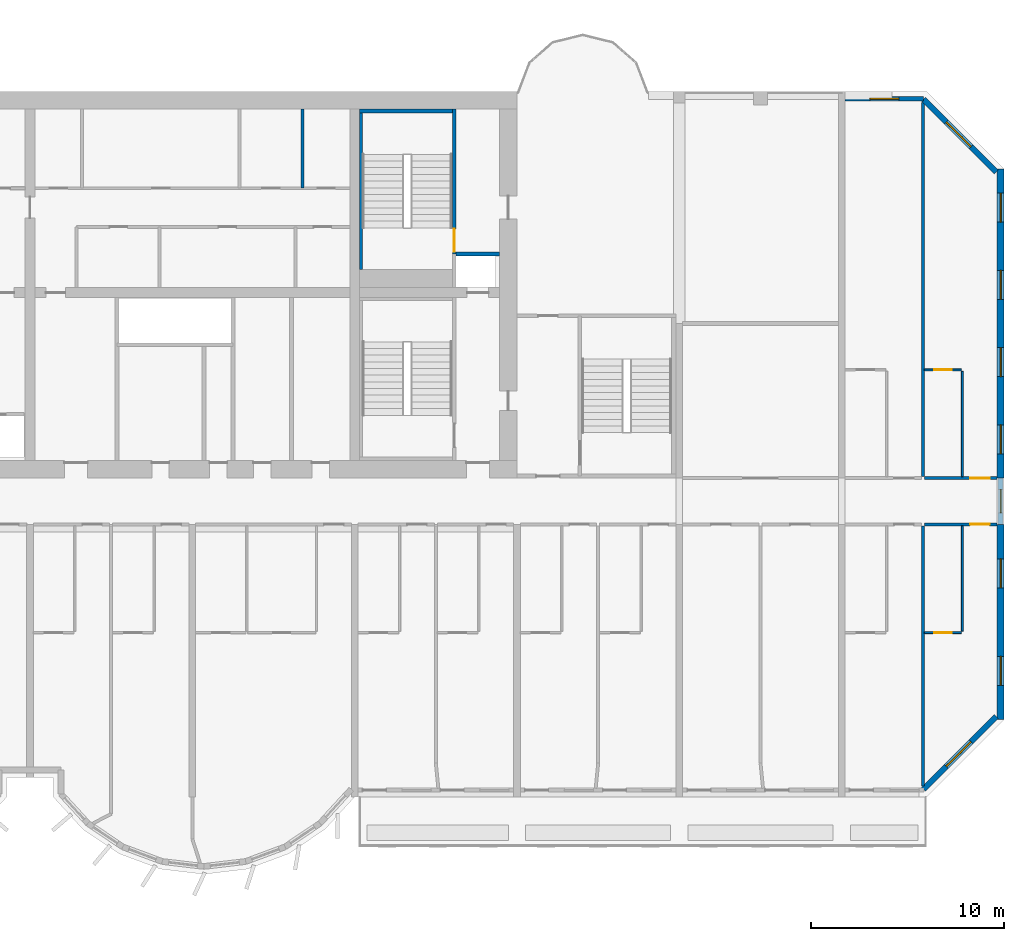
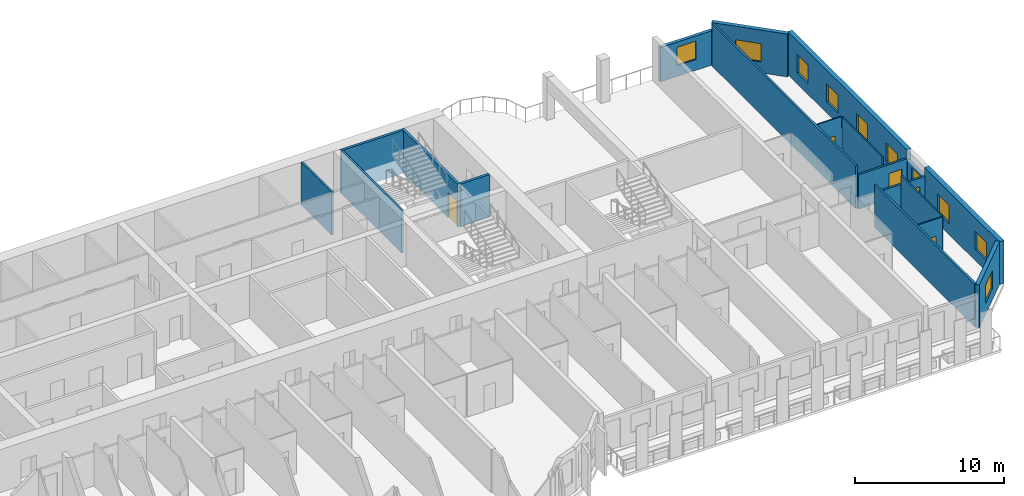
# One storey, part 11 of 15: 19 walls, 10 windows, 5 doors, 15 openings.
"""IFC4 building model written with IfcOpenShell, lengths in metres."""

from ifc_helpers import new_model, si_unit, direction, frame, frame_2d, origin, place, context, subcontext, project, spatial, rectangle, extrude, source, transform, mapped, material, layer, layer_set, type_object, element, fill, save


model = new_model("IFC4")

# Units and contexts
model_context = context("Model", 3, precision=1e-05, world=origin(), true_north=direction((0.0, 1.0)))
body_context = subcontext(model_context, "Body", "Model", "MODEL_VIEW")
ifc_project = project(units=[si_unit("LENGTHUNIT", "METRE"), si_unit("AREAUNIT", "SQUARE_METRE"), si_unit("VOLUMEUNIT", "CUBIC_METRE"), si_unit("PLANEANGLEUNIT", "RADIAN"), si_unit("MASSUNIT", "GRAM", prefix="KILO")], contexts=[model_context])

# Site, building, storey
site_placement = place(None, origin())
site = spatial("IfcSite", under=ifc_project, at=site_placement, CompositionType="ELEMENT")
building_placement = place(site_placement, origin())
building = spatial("IfcBuilding", under=site, at=building_placement, Name="Vanashikhar Sky Hotel", CompositionType="ELEMENT")
storey_placement = place(building_placement, frame((0.0, 0.0, 91.39990234375)))
storey = spatial("IfcBuildingStorey", under=building, at=storey_placement, Name="L21", CompositionType="ELEMENT", Elevation=91.39990234375)

# Wall, openings, windows
ifc_material_1 = material(Name="Concrete M70", Category="concrete")
ifc_layer_1 = layer(ifc_material_1, 0.35009765625)
ifc_layer_set_1 = layer_set([ifc_layer_1], Name="RC shear wall 350 Concrete M70")
wall_type_1 = type_object("IfcWallType", Name="RC shear wall 350 Concrete M70", PredefinedType="SHEAR", material=ifc_layer_set_1)
shared_shape_1 = source(origin(), body_context, "Body", "SweptSolid", [
    extrude(rectangle(XDim=10.10009765625, YDim=0.35009765625, at=frame_2d((5.050048828125, 0.0))), origin(), (0.0, 0.0, 1.0), 3.52001953125),
])
wall_1_placement = place(storey_placement, frame((100.625, 9.5, 0.0), z_axis=(0.0, 0.0, 1.0), x_axis=(0.0, 1.0, 0.0)))
wall_1 = element("IfcWall", 1, at=wall_1_placement, inside=storey, type_object=wall_type_1, Name="CW-L21-XW13-1", PredefinedType="SHEAR", context=body_context, shape_type="MappedRepresentation", body=[
    mapped(shared_shape_1, transform((0.0, 0.0, 0.0), scale=1.0)),
])
shared_shape_2 = source(origin(), body_context, "Body", "SweptSolid", [
    extrude(rectangle(XDim=1.5, YDim=1.5, at=frame_2d((0.75, 0.75))), frame((0.0, 0.18505859375, 0.0), z_axis=(0.0, -1.0, 0.0), x_axis=(1.0, 0.0, 0.0)), (0.0, 0.0, 1.0), 0.3701171875),
])
opening_1_placement = place(wall_1_placement, frame((1.77490234375, 0.0, 0.89990234375)))
opening_1 = element("IfcOpeningElement", 2, at=opening_1_placement, cuts=wall_1, Name="Opening WN-1", PredefinedType="OPENING", context=body_context, shape_type="MappedRepresentation", body=[
    mapped(shared_shape_2, transform((0.0, 0.0, 0.0), scale=1.0)),
])
opening_2_placement = place(wall_1_placement, frame((6.824951171875, 0.0, 0.89990234375)))
opening_2 = element("IfcOpeningElement", 3, at=opening_2_placement, cuts=wall_1, Name="Opening WN-1", PredefinedType="OPENING", context=body_context, shape_type="MappedRepresentation", body=[
    mapped(shared_shape_2, transform((0.0, 0.0, 0.0), scale=1.0)),
])
ifc_material_2 = material(Name="Glass", Category="glass")
window_type_1 = type_object("IfcWindowType", Name="Window 1500 x 1500", PartitioningType="SINGLE_PANEL", PredefinedType="WINDOW", material=ifc_material_2)
shared_shape_3 = source(origin(), body_context, "Body", "SweptSolid", [
    extrude(rectangle(XDim=1.5, YDim=1.5, at=frame_2d((0.75, 0.75))), frame((0.0, 0.030029296875, 0.0), z_axis=(0.0, -1.0, 0.0), x_axis=(1.0, 0.0, 0.0)), (0.0, 0.0, 1.0), 0.06005859375),
])
window_1_placement = place(opening_1_placement, origin())
window_1 = element("IfcWindow", 4, at=window_1_placement, inside=storey, type_object=window_type_1, Name="Window WN-1", OverallHeight=1.5, OverallWidth=1.5, PartitioningType="SINGLE_PANEL", PredefinedType="WINDOW", context=body_context, shape_type="MappedRepresentation", body=[
    mapped(shared_shape_3, transform((0.0, 0.0, 0.0), scale=1.0)),
])
fill(opening_1, window_1)
window_2_placement = place(opening_2_placement, origin())
window_2 = element("IfcWindow", 5, at=window_2_placement, inside=storey, type_object=window_type_1, Name="Window WN-1", OverallHeight=1.5, OverallWidth=1.5, PartitioningType="SINGLE_PANEL", PredefinedType="WINDOW", context=body_context, shape_type="MappedRepresentation", body=[
    mapped(shared_shape_3, transform((0.0, 0.0, 0.0), scale=1.0)),
])
fill(opening_2, window_2)

shared_shape_4 = source(origin(), body_context, "Body", "SweptSolid", [
    extrude(rectangle(XDim=16.0, YDim=0.35009765625, at=frame_2d((8.0, 0.0))), origin(), (0.0, 0.0, 1.0), 3.52001953125),
])
wall_2_placement = place(storey_placement, frame((100.625, 22.0, 0.0), z_axis=(0.0, 0.0, 1.0), x_axis=(0.0, 1.0, 0.0)))
wall_2 = element("IfcWall", 6, at=wall_2_placement, inside=storey, type_object=wall_type_1, Name="CW-L21-XW13-2", PredefinedType="SHEAR", context=body_context, shape_type="MappedRepresentation", body=[
    mapped(shared_shape_4, transform((0.0, 0.0, 0.0), scale=1.0)),
])
opening_3_placement = place(wall_2_placement, frame((1.25, 0.0, 0.89990234375)))
opening_3 = element("IfcOpeningElement", 7, at=opening_3_placement, cuts=wall_2, Name="Opening WN-1", PredefinedType="OPENING", context=body_context, shape_type="MappedRepresentation", body=[
    mapped(shared_shape_2, transform((0.0, 0.0, 0.0), scale=1.0)),
])
opening_4_placement = place(wall_2_placement, frame((5.25, 0.0, 0.89990234375)))
opening_4 = element("IfcOpeningElement", 8, at=opening_4_placement, cuts=wall_2, Name="Opening WN-1", PredefinedType="OPENING", context=body_context, shape_type="MappedRepresentation", body=[
    mapped(shared_shape_2, transform((0.0, 0.0, 0.0), scale=1.0)),
])
opening_5_placement = place(wall_2_placement, frame((9.25, 0.0, 0.89990234375)))
opening_5 = element("IfcOpeningElement", 9, at=opening_5_placement, cuts=wall_2, Name="Opening WN-1", PredefinedType="OPENING", context=body_context, shape_type="MappedRepresentation", body=[
    mapped(shared_shape_2, transform((0.0, 0.0, 0.0), scale=1.0)),
])
opening_6_placement = place(wall_2_placement, frame((13.25, 0.0, 0.89990234375)))
opening_6 = element("IfcOpeningElement", 10, at=opening_6_placement, cuts=wall_2, Name="Opening WN-1", PredefinedType="OPENING", context=body_context, shape_type="MappedRepresentation", body=[
    mapped(shared_shape_2, transform((0.0, 0.0, 0.0), scale=1.0)),
])
window_3_placement = place(opening_3_placement, origin())
window_3 = element("IfcWindow", 11, at=window_3_placement, inside=storey, type_object=window_type_1, Name="Window WN-1", OverallHeight=1.5, OverallWidth=1.5, PartitioningType="SINGLE_PANEL", PredefinedType="WINDOW", context=body_context, shape_type="MappedRepresentation", body=[
    mapped(shared_shape_3, transform((0.0, 0.0, 0.0), scale=1.0)),
])
fill(opening_3, window_3)
window_4_placement = place(opening_4_placement, origin())
window_4 = element("IfcWindow", 12, at=window_4_placement, inside=storey, type_object=window_type_1, Name="Window WN-1", OverallHeight=1.5, OverallWidth=1.5, PartitioningType="SINGLE_PANEL", PredefinedType="WINDOW", context=body_context, shape_type="MappedRepresentation", body=[
    mapped(shared_shape_3, transform((0.0, 0.0, 0.0), scale=1.0)),
])
fill(opening_4, window_4)
window_5_placement = place(opening_5_placement, origin())
window_5 = element("IfcWindow", 13, at=window_5_placement, inside=storey, type_object=window_type_1, Name="Window WN-1", OverallHeight=1.5, OverallWidth=1.5, PartitioningType="SINGLE_PANEL", PredefinedType="WINDOW", context=body_context, shape_type="MappedRepresentation", body=[
    mapped(shared_shape_3, transform((0.0, 0.0, 0.0), scale=1.0)),
])
fill(opening_5, window_5)
window_6_placement = place(opening_6_placement, origin())
window_6 = element("IfcWindow", 14, at=window_6_placement, inside=storey, type_object=window_type_1, Name="Window WN-1", OverallHeight=1.5, OverallWidth=1.5, PartitioningType="SINGLE_PANEL", PredefinedType="WINDOW", context=body_context, shape_type="MappedRepresentation", body=[
    mapped(shared_shape_3, transform((0.0, 0.0, 0.0), scale=1.0)),
])
fill(opening_6, window_6)

# Wall, opening, window
ifc_material_3 = material(Name="Concrete M50", Category="concrete")
ifc_layer_2 = layer(ifc_material_3, 0.300048828125)
ifc_layer_set_2 = layer_set([ifc_layer_2], Name="Lobe wall 300")
wall_type_2 = type_object("IfcWallType", Name="Lobe wall 300", PredefinedType="SOLIDWALL", material=ifc_layer_set_2)
shared_shape_5 = source(origin(), body_context, "Body", "SweptSolid", [
    extrude(rectangle(XDim=5.32568359375, YDim=0.300048828125, at=frame_2d((2.662841796875, 0.0))), origin(), (0.0, 0.0, 1.0), 3.52001953125),
])
wall_3_placement = place(storey_placement, frame((96.63427734375, 5.89990234375, 0.0), z_axis=(0.0, 0.0, 1.0), x_axis=(0.707083859269, 0.707129702361, 0.0)))
wall_3 = element("IfcWall", 15, at=wall_3_placement, inside=storey, type_object=wall_type_2, Name="Corner wall", PredefinedType="SOLIDWALL", context=body_context, shape_type="MappedRepresentation", body=[
    mapped(shared_shape_5, transform((0.0, 0.0, 0.0), scale=1.0)),
])
shared_shape_6 = source(origin(), body_context, "Body", "SweptSolid", [
    extrude(rectangle(XDim=1.800048828125, YDim=1.5, at=frame_2d((0.89990234375, 0.75))), frame((0.0, 0.16015625, 0.0), z_axis=(0.0, -1.0, 0.0), x_axis=(1.0, 0.0, 0.0)), (0.0, 0.0, 1.0), 0.320068359375),
])
opening_7_placement = place(wall_3_placement, frame((1.671875, 0.0, 0.89990234375)))
opening_7 = element("IfcOpeningElement", 16, at=opening_7_placement, cuts=wall_3, Name="Opening WN-4", PredefinedType="OPENING", context=body_context, shape_type="MappedRepresentation", body=[
    mapped(shared_shape_6, transform((0.0, 0.0, 0.0), scale=1.0)),
])
window_type_2 = type_object("IfcWindowType", Name="Corner window 1800 x 1500", PartitioningType="SINGLE_PANEL", PredefinedType="WINDOW", material=ifc_material_2)
shared_shape_7 = source(origin(), body_context, "Body", "SweptSolid", [
    extrude(rectangle(XDim=1.800048828125, YDim=1.5, at=frame_2d((0.89990234375, 0.75))), frame((0.0, 0.030029296875, 0.0), z_axis=(0.0, -1.0, 0.0), x_axis=(1.0, 0.0, 0.0)), (0.0, 0.0, 1.0), 0.06005859375),
])
window_7_placement = place(opening_7_placement, origin())
window_7 = element("IfcWindow", 17, at=window_7_placement, inside=storey, type_object=window_type_2, Name="Window WN-4", OverallHeight=1.5, OverallWidth=1.800048828125, PartitioningType="SINGLE_PANEL", PredefinedType="WINDOW", context=body_context, shape_type="MappedRepresentation", body=[
    mapped(shared_shape_7, transform((0.0, 0.0, 0.0), scale=1.0)),
])
fill(opening_7, window_7)

wall_4_placement = place(storey_placement, frame((100.39990234375, 37.834228515625, 0.0), z_axis=(0.0, 0.0, 1.0), x_axis=(-0.707083859269, 0.707129702361, 0.0)))
wall_4 = element("IfcWall", 18, at=wall_4_placement, inside=storey, type_object=wall_type_2, Name="Corner wall", PredefinedType="SOLIDWALL", context=body_context, shape_type="MappedRepresentation", body=[
    mapped(shared_shape_5, transform((0.0, 0.0, 0.0), scale=1.0)),
])
opening_8_placement = place(wall_4_placement, frame((1.853759765625, 0.0, 0.89990234375)))
opening_8 = element("IfcOpeningElement", 19, at=opening_8_placement, cuts=wall_4, Name="Opening WN-4", PredefinedType="OPENING", context=body_context, shape_type="MappedRepresentation", body=[
    mapped(shared_shape_6, transform((0.0, 0.0, 0.0), scale=1.0)),
])
window_8_placement = place(opening_8_placement, origin())
window_8 = element("IfcWindow", 20, at=window_8_placement, inside=storey, type_object=window_type_2, Name="Window WN-4", OverallHeight=1.5, OverallWidth=1.800048828125, PartitioningType="SINGLE_PANEL", PredefinedType="WINDOW", context=body_context, shape_type="MappedRepresentation", body=[
    mapped(shared_shape_7, transform((0.0, 0.0, 0.0), scale=1.0)),
])
fill(opening_8, window_8)

ifc_layer_3 = layer(ifc_material_3, 0.25)
ifc_layer_set_3 = layer_set([ifc_layer_3], Name="Rear and end board-marked wall 250")
wall_type_3 = type_object("IfcWallType", Name="Rear and end board-marked wall 250", PredefinedType="SOLIDWALL", material=ifc_layer_set_3)
shared_shape_8 = source(origin(), body_context, "Body", "SweptSolid", [
    extrude(rectangle(XDim=2.39990234375, YDim=0.25, at=frame_2d((1.199951171875, 0.0))), origin(), (0.0, 0.0, 1.0), 2.6201171875),
])
wall_5_placement = place(storey_placement, frame((100.625, 19.60009765625, 0.0), z_axis=(0.0, 0.0, 1.0), x_axis=(0.0, 1.0, 0.0)))
wall_5 = element("IfcWall", 21, at=wall_5_placement, inside=storey, type_object=wall_type_3, Name="End corridor infill wall", PredefinedType="SOLIDWALL", context=body_context, shape_type="MappedRepresentation", body=[
    mapped(shared_shape_8, transform((0.0, 0.0, 0.0), scale=1.0)),
])
shared_shape_9 = source(origin(), body_context, "Body", "SweptSolid", [
    extrude(rectangle(XDim=1.199951171875, YDim=1.5, at=frame_2d((0.60009765625, 0.75))), frame((0.0, 0.135009765625, 0.0), z_axis=(0.0, -1.0, 0.0), x_axis=(1.0, 0.0, 0.0)), (0.0, 0.0, 1.0), 0.27001953125),
])
opening_9_placement = place(wall_5_placement, frame((0.60009765625, 0.0, 0.89990234375)))
opening_9 = element("IfcOpeningElement", 22, at=opening_9_placement, cuts=wall_5, Name="Opening WN-3", PredefinedType="OPENING", context=body_context, shape_type="MappedRepresentation", body=[
    mapped(shared_shape_9, transform((0.0, 0.0, 0.0), scale=1.0)),
])
window_type_3 = type_object("IfcWindowType", Name="Corridor end window 1200 x 1500", PartitioningType="SINGLE_PANEL", PredefinedType="WINDOW", material=ifc_material_2)
shared_shape_10 = source(origin(), body_context, "Body", "SweptSolid", [
    extrude(rectangle(XDim=1.199951171875, YDim=1.5, at=frame_2d((0.60009765625, 0.75))), frame((0.0, 0.030029296875, 0.0), z_axis=(0.0, -1.0, 0.0), x_axis=(1.0, 0.0, 0.0)), (0.0, 0.0, 1.0), 0.06005859375),
])
window_9_placement = place(opening_9_placement, origin())
window_9 = element("IfcWindow", 23, at=window_9_placement, inside=storey, type_object=window_type_3, Name="Window WN-3", OverallHeight=1.5, OverallWidth=1.199951171875, PartitioningType="SINGLE_PANEL", PredefinedType="WINDOW", context=body_context, shape_type="MappedRepresentation", body=[
    mapped(shared_shape_10, transform((0.0, 0.0, 0.0), scale=1.0)),
])
fill(opening_9, window_9)

shared_shape_11 = source(origin(), body_context, "Body", "SweptSolid", [
    extrude(rectangle(XDim=4.06982421875, YDim=0.25, at=frame_2d((2.034912109375, 0.0))), origin(), (0.0, 0.0, 1.0), 2.820068359375),
])
wall_6_placement = place(storey_placement, frame((96.644775390625, 41.625, 0.0), z_axis=(0.0, 0.0, 1.0), x_axis=(-1.0, 0.0, 0.0)))
wall_6 = element("IfcWall", 24, at=wall_6_placement, inside=storey, type_object=wall_type_3, Name="Rear board-marked wall", PredefinedType="SOLIDWALL", context=body_context, shape_type="MappedRepresentation", body=[
    mapped(shared_shape_11, transform((0.0, 0.0, 0.0), scale=1.0)),
])
shared_shape_12 = source(origin(), body_context, "Body", "SweptSolid", [
    extrude(rectangle(XDim=1.5, YDim=1.5, at=frame_2d((0.75, 0.75))), frame((0.0, 0.135009765625, 0.0), z_axis=(0.0, -1.0, 0.0), x_axis=(1.0, 0.0, 0.0)), (0.0, 0.0, 1.0), 0.27001953125),
])
opening_10_placement = place(wall_6_placement, frame((1.284912109375, 0.0, 0.89990234375)))
opening_10 = element("IfcOpeningElement", 25, at=opening_10_placement, cuts=wall_6, Name="Opening WN-1", PredefinedType="OPENING", context=body_context, shape_type="MappedRepresentation", body=[
    mapped(shared_shape_12, transform((0.0, 0.0, 0.0), scale=1.0)),
])
window_10_placement = place(opening_10_placement, origin())
window_10 = element("IfcWindow", 26, at=window_10_placement, inside=storey, type_object=window_type_1, Name="Window WN-1", OverallHeight=1.5, OverallWidth=1.5, PartitioningType="SINGLE_PANEL", PredefinedType="WINDOW", context=body_context, shape_type="MappedRepresentation", body=[
    mapped(shared_shape_3, transform((0.0, 0.0, 0.0), scale=1.0)),
])
fill(opening_10, window_10)

# Wall
ifc_material_4 = material(Name="Gypsum board partition")
ifc_layer_4 = layer(ifc_material_4, 0.14990234375)
ifc_layer_set_4 = layer_set([ifc_layer_4], Name="Service partition 150")
wall_type_4 = type_object("IfcWallType", Name="Service partition 150", PredefinedType="PARTITIONING", material=ifc_layer_set_4)
shared_shape_13 = source(origin(), body_context, "Body", "SweptSolid", [
    extrude(rectangle(XDim=4.10009765625, YDim=0.14990234375, at=frame_2d((2.050048828125, 0.0))), origin(), (0.0, 0.0, 1.0), 3.52001953125),
])
wall_7_placement = place(storey_placement, frame((64.5048828125, 37.0, 0.0), z_axis=(0.0, 0.0, 1.0), x_axis=(0.0, 1.0, 0.0)))
element("IfcWall", 27, at=wall_7_placement, inside=storey, type_object=wall_type_4, Name="Service partition 150", PredefinedType="PARTITIONING", context=body_context, shape_type="MappedRepresentation", body=[
    mapped(shared_shape_13, transform((0.0, 0.0, 0.0), scale=1.0)),
])

# Wall, opening, door
ifc_layer_5 = layer(ifc_material_3, 0.199951171875)
ifc_layer_set_5 = layer_set([ifc_layer_5], Name="Stair wall 200")
wall_type_5 = type_object("IfcWallType", Name="Stair wall 200", PredefinedType="SOLIDWALL", material=ifc_layer_set_5)
shared_shape_14 = source(origin(), body_context, "Body", "SweptSolid", [
    extrude(rectangle(XDim=7.5, YDim=0.199951171875, at=frame_2d((3.75, 0.0))), origin(), (0.0, 0.0, 1.0), 3.52001953125),
])
wall_8_placement = place(storey_placement, frame((72.35009765625, 33.60009765625, 0.0), z_axis=(0.0, 0.0, 1.0), x_axis=(0.0, 1.0, 0.0)))
wall_8 = element("IfcWall", 28, at=wall_8_placement, inside=storey, type_object=wall_type_5, Name="Stair wall 200", PredefinedType="SOLIDWALL", context=body_context, shape_type="MappedRepresentation", body=[
    mapped(shared_shape_14, transform((0.0, 0.0, 0.0), scale=1.0)),
])
shared_shape_15 = source(origin(), body_context, "Body", "SweptSolid", [
    extrude(rectangle(XDim=1.199951171875, YDim=2.10009765625, at=frame_2d((0.60009765625, 1.050048828125))), frame((0.0, 0.10986328125, 0.0), z_axis=(0.0, -1.0, 0.0), x_axis=(1.0, 0.0, 0.0)), (0.0, 0.0, 1.0), 0.219970703125),
])
opening_11_placement = place(wall_8_placement, frame((0.10009765625, 0.0, 0.0)))
opening_11 = element("IfcOpeningElement", 29, at=opening_11_placement, cuts=wall_8, Name="Opening DC-1", PredefinedType="OPENING", context=body_context, shape_type="MappedRepresentation", body=[
    mapped(shared_shape_15, transform((0.0, 0.0, 0.0), scale=1.0)),
])
ifc_material_5 = material(Name="Steel", Category="steel")
door_type_1 = type_object("IfcDoorType", Name="Stair door 1200 FD120", OperationType="NOTDEFINED", PredefinedType="DOOR", material=ifc_material_5)
shared_shape_16 = source(origin(), body_context, "Body", "SweptSolid", [
    extrude(rectangle(XDim=1.199951171875, YDim=2.10009765625, at=frame_2d((0.60009765625, 1.050048828125))), frame((0.0, 0.02490234375, 0.0), z_axis=(0.0, -1.0, 0.0), x_axis=(1.0, 0.0, 0.0)), (0.0, 0.0, 1.0), 0.050048828125),
])
door_1_placement = place(opening_11_placement, origin())
door_1 = element("IfcDoor", 30, at=door_1_placement, inside=storey, type_object=door_type_1, Name="Stair door 1200 FD120", OperationType="SINGLE_SWING_LEFT", OverallHeight=2.10009765625, OverallWidth=1.199951171875, PredefinedType="DOOR", context=body_context, shape_type="MappedRepresentation", body=[
    mapped(shared_shape_16, transform((0.0, 0.0, 0.0), scale=1.0)),
])
fill(opening_11, door_1)

# Walls
ifc_material_6 = material(Name="Concrete M40", Category="concrete")
ifc_layer_6 = layer(ifc_material_6, 0.199951171875)
ifc_layer_set_6 = layer_set([ifc_layer_6], Name="Shaft wall 200")
wall_type_6 = type_object("IfcWallType", Name="Shaft wall 200", PredefinedType="SOLIDWALL", material=ifc_layer_set_6)
shared_shape_17 = source(origin(), body_context, "Body", "SweptSolid", [
    extrude(rectangle(XDim=2.25, YDim=0.199951171875, at=frame_2d((1.125, 0.0))), origin(), (0.0, 0.0, 1.0), 3.52001953125),
])
wall_9_placement = place(storey_placement, frame((72.449951171875, 33.60009765625, 0.0), z_axis=(0.0, 0.0, 1.0), x_axis=(1.0, 0.0, 0.0)))
element("IfcWall", 31, at=wall_9_placement, inside=storey, type_object=wall_type_6, Name="Shaft wall 200", PredefinedType="SOLIDWALL", context=body_context, shape_type="MappedRepresentation", body=[
    mapped(shared_shape_17, transform((0.0, 0.0, 0.0), scale=1.0)),
])
ifc_layer_7 = layer(ifc_material_3, 0.199951171875)
ifc_layer_set_7 = layer_set([ifc_layer_7], Name="Stair infill wall 200")
wall_type_7 = type_object("IfcWallType", Name="Stair infill wall 200", PredefinedType="SOLIDWALL", material=ifc_layer_set_7)
shared_shape_18 = source(origin(), body_context, "Body", "SweptSolid", [
    extrude(rectangle(XDim=4.800048828125, YDim=0.199951171875, at=frame_2d((2.39990234375, 0.0))), origin(), (0.0, 0.0, 1.0), 3.52001953125),
])
wall_10_placement = place(storey_placement, frame((67.449951171875, 41.0, 0.0), z_axis=(0.0, 0.0, 1.0), x_axis=(1.0, 0.0, 0.0)))
element("IfcWall", 32, at=wall_10_placement, inside=storey, type_object=wall_type_7, Name="Stair infill wall 200", PredefinedType="SOLIDWALL", context=body_context, shape_type="MappedRepresentation", body=[
    mapped(shared_shape_18, transform((0.0, 0.0, 0.0), scale=1.0)),
])
ifc_layer_8 = layer(ifc_material_3, 0.14990234375)
ifc_layer_set_8 = layer_set([ifc_layer_8], Name="Stair infill wall 150")
wall_type_8 = type_object("IfcWallType", Name="Stair infill wall 150", PredefinedType="SOLIDWALL", material=ifc_layer_set_8)
shared_shape_19 = source(origin(), body_context, "Body", "SweptSolid", [
    extrude(rectangle(XDim=8.099853515625, YDim=0.14990234375, at=frame_2d((4.0498046875, 0.0))), origin(), (0.0, 0.0, 1.0), 3.52001953125),
])
wall_11_placement = place(storey_placement, frame((67.52490234375, 32.800048828125, 0.0), z_axis=(0.0, 0.0, 1.0), x_axis=(0.0, 1.0, 0.0)))
element("IfcWall", 33, at=wall_11_placement, inside=storey, type_object=wall_type_8, Name="Stair infill wall 150", PredefinedType="SOLIDWALL", context=body_context, shape_type="MappedRepresentation", body=[
    mapped(shared_shape_19, transform((0.0, 0.0, 0.0), scale=1.0)),
])
ifc_material_7 = material(Name="Gypsum plasterboard partition")
ifc_layer_9 = layer(ifc_material_7, 0.14990234375)
ifc_layer_set_9 = layer_set([ifc_layer_9], Name="Corridor and demising partition 150")
wall_type_9 = type_object("IfcWallType", Name="Corridor and demising partition 150", PredefinedType="PARTITIONING", material=ifc_layer_set_9)
shared_shape_20 = source(origin(), body_context, "Body", "SweptSolid", [
    extrude(rectangle(XDim=19.34716796875, YDim=0.14990234375, at=frame_2d((9.673583984375, 0.0))), origin(), (0.0, 0.0, 1.0), 3.52001953125),
])
wall_12_placement = place(storey_placement, frame((96.60009765625, 22.074951171875, 0.0), z_axis=(0.0, 0.0, 1.0), x_axis=(0.0, 1.0, 0.0)))
element("IfcWall", 34, at=wall_12_placement, inside=storey, type_object=wall_type_9, Name="W-L21-PW095", PredefinedType="PARTITIONING", context=body_context, shape_type="MappedRepresentation", body=[
    mapped(shared_shape_20, transform((0.0, 0.0, 0.0), scale=1.0)),
])
ifc_layer_10 = layer(ifc_material_7, 0.10009765625)
ifc_layer_set_10 = layer_set([ifc_layer_10], Name="Wet room partition 100")
wall_type_10 = type_object("IfcWallType", Name="Wet room partition 100", PredefinedType="PARTITIONING", material=ifc_layer_set_10)
shared_shape_21 = source(origin(), body_context, "Body", "SweptSolid", [
    extrude(rectangle(XDim=5.449951171875, YDim=0.10009765625, at=frame_2d((2.72509765625, 0.0))), origin(), (0.0, 0.0, 1.0), 3.52001953125),
])
for number, where, z_axis, x_axis, name in (
    (35, (98.64990234375, 14.074951171875, 0.0), (0.0, 0.0, 1.0), (0.0, 1.0, 0.0), "W-L21-PW067"),
    (36, (98.64990234375, 22.074951171875, 0.0), (0.0, 0.0, 1.0), (0.0, 1.0, 0.0), "W-L21-PW092"),
):
    element("IfcWall", number, at=place(storey_placement, frame(where, z_axis=z_axis, x_axis=x_axis)), inside=storey, type_object=wall_type_10, Name=name, PredefinedType="PARTITIONING", context=body_context, shape_type="MappedRepresentation", body=[
        mapped(shared_shape_21, transform((0.0, 0.0, 0.0), scale=1.0)),
    ])

# Wall, opening, door
shared_shape_22 = source(origin(), body_context, "Body", "SweptSolid", [
    extrude(rectangle(XDim=1.925048828125, YDim=0.10009765625, at=frame_2d((0.96240234375, 0.0))), origin(), (0.0, 0.0, 1.0), 3.52001953125),
])
wall_13_placement = place(storey_placement, frame((96.675048828125, 14.0, 0.0), z_axis=(0.0, 0.0, 1.0), x_axis=(1.0, 0.0, 0.0)))
wall_13 = element("IfcWall", 37, at=wall_13_placement, inside=storey, type_object=wall_type_10, Name="W-L21-PW068", PredefinedType="PARTITIONING", context=body_context, shape_type="MappedRepresentation", body=[
    mapped(shared_shape_22, transform((0.0, 0.0, 0.0), scale=1.0)),
])
shared_shape_23 = source(origin(), body_context, "Body", "SweptSolid", [
    extrude(rectangle(XDim=0.89990234375, YDim=2.10009765625, at=frame_2d((0.449951171875, 1.050048828125))), frame((0.0, 0.06005859375, 0.0), z_axis=(0.0, -1.0, 0.0), x_axis=(1.0, 0.0, 0.0)), (0.0, 0.0, 1.0), 0.1201171875),
])
opening_12_placement = place(wall_13_placement, frame((0.512939453125, 0.0, 0.0)))
opening_12 = element("IfcOpeningElement", 38, at=opening_12_placement, cuts=wall_13, Name="Opening D-02", PredefinedType="OPENING", context=body_context, shape_type="MappedRepresentation", body=[
    mapped(shared_shape_23, transform((0.0, 0.0, 0.0), scale=1.0)),
])
ifc_material_8 = material(Name="Timber door", Category="wood")
door_type_2 = type_object("IfcDoorType", Name="Internal door 900", OperationType="NOTDEFINED", PredefinedType="DOOR", material=ifc_material_8)
shared_shape_24 = source(origin(), body_context, "Body", "SweptSolid", [
    extrude(rectangle(XDim=0.89990234375, YDim=2.10009765625, at=frame_2d((0.449951171875, 1.050048828125))), frame((0.0, 0.02490234375, 0.0), z_axis=(0.0, -1.0, 0.0), x_axis=(1.0, 0.0, 0.0)), (0.0, 0.0, 1.0), 0.050048828125),
])
door_2_placement = place(opening_12_placement, origin())
door_2 = element("IfcDoor", 39, at=door_2_placement, inside=storey, type_object=door_type_2, Name="D-L21-040", OperationType="SINGLE_SWING_RIGHT", OverallHeight=2.10009765625, OverallWidth=0.89990234375, PredefinedType="DOOR", context=body_context, shape_type="MappedRepresentation", body=[
    mapped(shared_shape_24, transform((0.0, 0.0, 0.0), scale=1.0)),
])
fill(opening_12, door_2)

wall_14_placement = place(storey_placement, frame((96.675048828125, 27.60009765625, 0.0), z_axis=(0.0, 0.0, 1.0), x_axis=(1.0, 0.0, 0.0)))
wall_14 = element("IfcWall", 40, at=wall_14_placement, inside=storey, type_object=wall_type_10, Name="W-L21-PW093", PredefinedType="PARTITIONING", context=body_context, shape_type="MappedRepresentation", body=[
    mapped(shared_shape_22, transform((0.0, 0.0, 0.0), scale=1.0)),
])
opening_13_placement = place(wall_14_placement, frame((0.512939453125, 0.0, 0.0)))
opening_13 = element("IfcOpeningElement", 41, at=opening_13_placement, cuts=wall_14, Name="Opening D-02", PredefinedType="OPENING", context=body_context, shape_type="MappedRepresentation", body=[
    mapped(shared_shape_23, transform((0.0, 0.0, 0.0), scale=1.0)),
])
door_3_placement = place(opening_13_placement, origin())
door_3 = element("IfcDoor", 42, at=door_3_placement, inside=storey, type_object=door_type_2, Name="D-L21-053", OperationType="SINGLE_SWING_RIGHT", OverallHeight=2.10009765625, OverallWidth=0.89990234375, PredefinedType="DOOR", context=body_context, shape_type="MappedRepresentation", body=[
    mapped(shared_shape_24, transform((0.0, 0.0, 0.0), scale=1.0)),
])
fill(opening_13, door_3)

shared_shape_25 = source(origin(), body_context, "Body", "SweptSolid", [
    extrude(rectangle(XDim=3.77490234375, YDim=0.14990234375, at=frame_2d((1.887451171875, 0.0))), origin(), (0.0, 0.0, 1.0), 2.820068359375),
])
wall_15_placement = place(storey_placement, frame((96.675048828125, 19.60009765625, 0.0), z_axis=(0.0, 0.0, 1.0), x_axis=(1.0, 0.0, 0.0)))
wall_15 = element("IfcWall", 43, at=wall_15_placement, inside=storey, type_object=wall_type_9, Name="W-L21-PW069", PredefinedType="PARTITIONING", context=body_context, shape_type="MappedRepresentation", body=[
    mapped(shared_shape_25, transform((0.0, 0.0, 0.0), scale=1.0)),
])
shared_shape_26 = source(origin(), body_context, "Body", "SweptSolid", [
    extrude(rectangle(XDim=1.0, YDim=2.10009765625, at=frame_2d((0.5, 1.050048828125))), frame((0.0, 0.0849609375, 0.0), z_axis=(0.0, -1.0, 0.0), x_axis=(1.0, 0.0, 0.0)), (0.0, 0.0, 1.0), 0.169921875),
])
opening_14_placement = place(wall_15_placement, frame((2.375, 0.0, 0.0)))
opening_14 = element("IfcOpeningElement", 44, at=opening_14_placement, cuts=wall_15, Name="Opening D-01", PredefinedType="OPENING", context=body_context, shape_type="MappedRepresentation", body=[
    mapped(shared_shape_26, transform((0.0, 0.0, 0.0), scale=1.0)),
])
ifc_material_9 = material(Name="Timber fire door", Category="wood")
door_type_3 = type_object("IfcDoorType", Name="Guest entry door 1000 FD30S", OperationType="NOTDEFINED", PredefinedType="DOOR", material=ifc_material_9)
shared_shape_27 = source(origin(), body_context, "Body", "SweptSolid", [
    extrude(rectangle(XDim=1.0, YDim=2.10009765625, at=frame_2d((0.5, 1.050048828125))), frame((0.0, 0.02490234375, 0.0), z_axis=(0.0, -1.0, 0.0), x_axis=(1.0, 0.0, 0.0)), (0.0, 0.0, 1.0), 0.050048828125),
])
door_4_placement = place(opening_14_placement, origin())
door_4 = element("IfcDoor", 45, at=door_4_placement, inside=storey, type_object=door_type_3, Name="D-L21-041", OperationType="SINGLE_SWING_RIGHT", OverallHeight=2.10009765625, OverallWidth=1.0, PredefinedType="DOOR", context=body_context, shape_type="MappedRepresentation", body=[
    mapped(shared_shape_27, transform((0.0, 0.0, 0.0), scale=1.0)),
])
fill(opening_14, door_4)

wall_16_placement = place(storey_placement, frame((96.675048828125, 22.0, 0.0), z_axis=(0.0, 0.0, 1.0), x_axis=(1.0, 0.0, 0.0)))
wall_16 = element("IfcWall", 46, at=wall_16_placement, inside=storey, type_object=wall_type_9, Name="W-L21-PW094", PredefinedType="PARTITIONING", context=body_context, shape_type="MappedRepresentation", body=[
    mapped(shared_shape_25, transform((0.0, 0.0, 0.0), scale=1.0)),
])
opening_15_placement = place(wall_16_placement, frame((2.375, 0.0, 0.0)))
opening_15 = element("IfcOpeningElement", 47, at=opening_15_placement, cuts=wall_16, Name="Opening D-01", PredefinedType="OPENING", context=body_context, shape_type="MappedRepresentation", body=[
    mapped(shared_shape_26, transform((0.0, 0.0, 0.0), scale=1.0)),
])
door_5_placement = place(opening_15_placement, origin())
door_5 = element("IfcDoor", 48, at=door_5_placement, inside=storey, type_object=door_type_3, Name="D-L21-054", OperationType="SINGLE_SWING_RIGHT", OverallHeight=2.10009765625, OverallWidth=1.0, PredefinedType="DOOR", context=body_context, shape_type="MappedRepresentation", body=[
    mapped(shared_shape_27, transform((0.0, 0.0, 0.0), scale=1.0)),
])
fill(opening_15, door_5)

# Wall
shared_shape_28 = source(origin(), body_context, "Body", "SweptSolid", [
    extrude(rectangle(XDim=13.447021484375, YDim=0.14990234375, at=frame_2d((6.7236328125, 0.0))), origin(), (0.0, 0.0, 1.0), 3.52001953125),
])
wall_17_placement = place(storey_placement, frame((96.60009765625, 6.077880859375, 0.0), z_axis=(0.0, 0.0, 1.0), x_axis=(0.0, 1.0, 0.0)))
element("IfcWall", 49, at=wall_17_placement, inside=storey, type_object=wall_type_9, Name="W-L21-PW070", PredefinedType="PARTITIONING", context=body_context, shape_type="MappedRepresentation", body=[
    mapped(shared_shape_28, transform((0.0, 0.0, 0.0), scale=1.0)),
])

save(model, "model.ifc")
